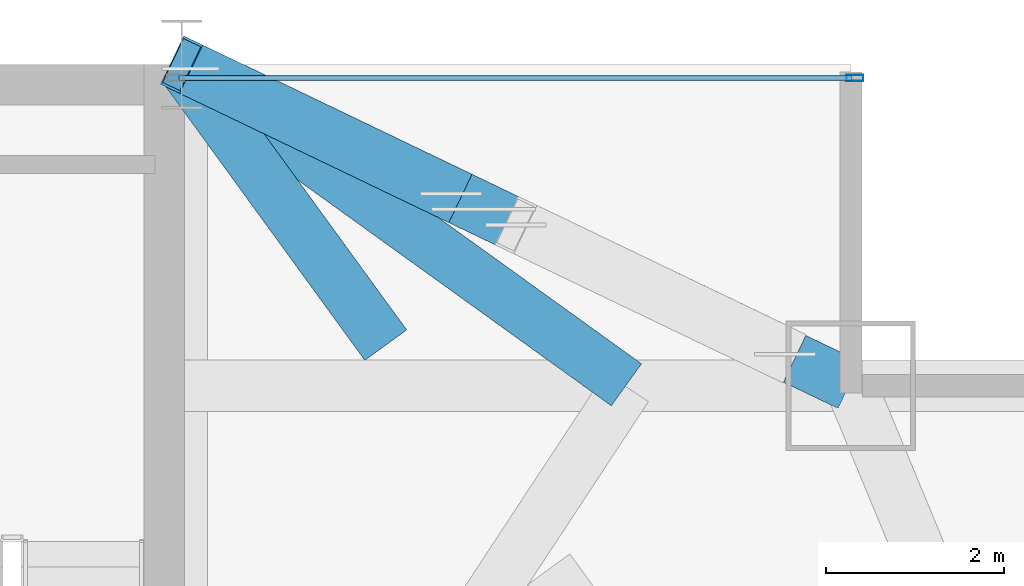
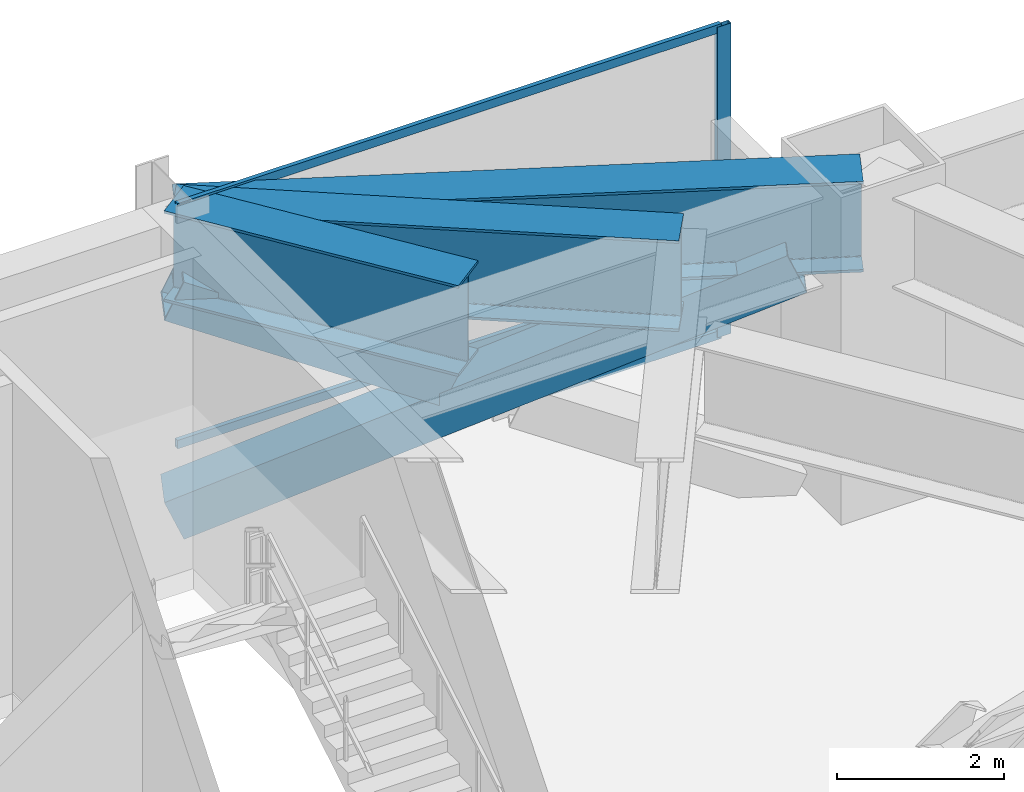
# One storey, part 25 of 32: 6 members, 3 beams, 1 element without a shape of its own.
"""IFC4 building model written with IfcOpenShell, lengths in metres."""

from ifc_helpers import new_model, si_unit, direction, frame, origin, origin_2d, place, context, subcontext, project, spatial, hollow_rectangle, i_section, extrude, source, transform, mapped, material, layer, layer_set, material_profile, profile_set, type_object, type_shapes, element, aggregate, save


model = new_model("IFC4")

# Units and contexts
model_context = context("Model", 3, precision=1e-05, world=origin(), true_north=direction((0.0, 1.0)))
body_context = subcontext(model_context, "Body", "Model", "MODEL_VIEW")
ifc_project = project(units=[si_unit("LENGTHUNIT", "METRE"), si_unit("AREAUNIT", "SQUARE_METRE"), si_unit("VOLUMEUNIT", "CUBIC_METRE"), si_unit("PLANEANGLEUNIT", "RADIAN"), si_unit("MASSUNIT", "GRAM", prefix="KILO")], contexts=[model_context])

# Site, building, storey
site_placement = place(None, origin())
site = spatial("IfcSite", under=ifc_project, at=site_placement, CompositionType="ELEMENT")
building_placement = place(site_placement, origin())
building = spatial("IfcBuilding", under=site, at=building_placement, Name="Varnel Quay Broadcast Tower", CompositionType="ELEMENT")
storey_placement = place(building_placement, frame((0.0, 0.0, 141.0)))
storey = spatial("IfcBuildingStorey", under=building, at=storey_placement, Name="L34", CompositionType="ELEMENT", Elevation=141.0)

# Beams
ifc_material_1 = material(Name="Structural Steel CSA G40.21 350WT", Category="steel")
ifc_material_profile_1 = material_profile(ifc_material_1, i_section(OverallWidth=0.580078125, OverallDepth=1.330078125, WebThickness=0.02197265625, FlangeThickness=0.0380859375, FilletRadius=0.02001953125, at=origin_2d()), Name="WWF1330X535")
ifc_profile_set_1 = profile_set([ifc_material_profile_1], Name="Structural Steel CSA G40.21 350WT")
beam_type = type_object("IfcBeamType", Name="Girder_WWF1330X535", PredefinedType="BEAM", material=ifc_profile_set_1)
shared_shape_1 = source(origin(), body_context, "Body", "SweptSolid", [
    extrude(i_section(OverallWidth=0.580078125, OverallDepth=1.330078125, WebThickness=0.02197265625, FlangeThickness=0.0380859375, FilletRadius=0.02001953125, at=origin_2d()), origin(), (0.0, 0.0, 1.0), 8.279296875),
])
beam_1_placement = place(storey_placement, frame((52.41796875, 46.791259765625, 3.885009765625), z_axis=(0.901535021024, -0.432706142626, 0.0), x_axis=(0.432706142626, 0.901535021024, 0.0)))
element("IfcBeam", 1, at=beam_1_placement, inside=storey, type_object=beam_type, Name="L34 NE Transfer Spine", PredefinedType="BEAM", context=body_context, shape_type="MappedRepresentation", body=[
    mapped(shared_shape_1, transform((0.0, 0.0, 0.0), x_axis=(1.0, 0.0, 0.0), y_axis=(0.0, 1.0, 0.0), z_axis=(0.0, 0.0, 1.0), scale=1.0)),
])
shared_shape_2 = source(origin(), body_context, "Body", "SweptSolid", [
    extrude(i_section(OverallWidth=0.580078125, OverallDepth=1.330078125, WebThickness=0.02197265625, FlangeThickness=0.0380859375, FilletRadius=0.02001953125, at=origin_2d()), origin(), (0.0, 0.0, 1.0), 6.12109375),
])
beam_2_placement = place(storey_placement, frame((52.416259765625, 46.788330078125, 3.885009765625), z_axis=(0.811531315425, -0.584308928637, 0.0), x_axis=(0.584308928637, 0.811531315425, 0.0)))
element("IfcBeam", 2, at=beam_2_placement, inside=storey, type_object=beam_type, Name="L34 Nodal Transfer Tie MC-NE-CC-N5", PredefinedType="BEAM", context=body_context, shape_type="MappedRepresentation", body=[
    mapped(shared_shape_2, transform((0.0, 0.0, 0.0), x_axis=(1.0, 0.0, 0.0), y_axis=(0.0, 1.0, 0.0), z_axis=(0.0, 0.0, 1.0), scale=1.0)),
])
shared_shape_3 = source(origin(), body_context, "Body", "SweptSolid", [
    extrude(i_section(OverallWidth=0.580078125, OverallDepth=1.330078125, WebThickness=0.02197265625, FlangeThickness=0.0380859375, FilletRadius=0.02001953125, at=origin_2d()), origin(), (0.0, 0.0, 1.0), 3.8671875),
])
type_shapes(beam_type, [shared_shape_1, shared_shape_2, shared_shape_3])
beam_3_placement = place(storey_placement, frame((52.411865234375, 46.78369140625, 3.885009765625), z_axis=(0.58838188732, -0.808583177338, 0.0), x_axis=(0.808583177338, 0.58838188732, 0.0)))
element("IfcBeam", 3, at=beam_3_placement, inside=storey, type_object=beam_type, Name="L34 X-Braced Transfer Tie TC-E3-CC-N5 Part 1", PredefinedType="BEAM", context=body_context, shape_type="MappedRepresentation", body=[
    mapped(shared_shape_3, transform((0.0, 0.0, 0.0), x_axis=(1.0, 0.0, 0.0), y_axis=(0.0, 1.0, 0.0), z_axis=(0.0, 0.0, 1.0), scale=1.0)),
])

# Members
ifc_material_profile_2 = material_profile(ifc_material_1, hollow_rectangle(XDim=0.60009765625, YDim=0.60009765625, WallThickness=0.028076171875, at=origin_2d()), Name="BOX600X600X28")
ifc_profile_set_2 = profile_set([ifc_material_profile_2], Name="Structural Steel CSA G40.21 350WT")
member_type_1 = type_object("IfcMemberType", Name="Outrigger_BOX600X600X28", PredefinedType="BRACE", material=ifc_profile_set_2)
shared_shape_4 = source(origin(), body_context, "Body", "SweptSolid", [
    extrude(hollow_rectangle(XDim=0.60009765625, YDim=0.60009765625, WallThickness=0.028076171875, at=origin_2d()), origin(), (0.0, 0.0, 1.0), 8.162353515625),
])
member_1_placement = place(storey_placement, frame((52.39990234375, 46.800048828125, 0.02001953125), z_axis=(0.828409343306, -0.397634091923, 0.394493458581), x_axis=(0.432728951153, 0.901524073352, 0.0)))
element("IfcMember", 4, at=member_1_placement, inside=storey, type_object=member_type_1, Name="L34 Outrigger NE Continuous Diag A", PredefinedType="BRACE", context=body_context, shape_type="MappedRepresentation", body=[
    mapped(shared_shape_4, transform((0.0, 0.0, 0.0), x_axis=(1.0, 0.0, 0.0), y_axis=(0.0, 1.0, 0.0), z_axis=(0.0, 0.0, 1.0), scale=1.0)),
])
shared_shape_5 = source(origin(), body_context, "Body", "SweptSolid", [
    extrude(hollow_rectangle(XDim=0.60009765625, YDim=0.60009765625, WallThickness=0.028076171875, at=origin_2d()), origin(), (0.0, 0.0, 1.0), 3.642333984375),
])
type_shapes(member_type_1, [shared_shape_4, shared_shape_5])
member_2_placement = place(storey_placement, frame((55.417236328125, 45.351806640625, 1.802978515625), z_axis=(-0.828403119458, 0.397612048275, 0.394528745136), x_axis=(-0.432712095994, -0.901532163586, 0.0)))
element("IfcMember", 5, at=member_2_placement, inside=storey, type_object=member_type_1, Name="L34 Outrigger NE Split Diag B2", PredefinedType="BRACE", context=body_context, shape_type="MappedRepresentation", body=[
    mapped(shared_shape_5, transform((0.0, 0.0, 0.0), x_axis=(1.0, 0.0, 0.0), y_axis=(0.0, 1.0, 0.0), z_axis=(0.0, 0.0, 1.0), scale=1.0)),
])

# Curtain wall, members
ifc_material_2 = material(Name="Anodised Bronze Aluminium 6063-T6", Category="aluminium")
ifc_layer = layer(ifc_material_2, 0.18994140625, Name="Anodised Bronze Aluminium 6063-T6")
ifc_layer_set = layer_set([ifc_layer], Name="Anodised Bronze Aluminium 6063-T6")
curtain_wall_type = type_object("IfcCurtainWallType", Name="CW_CrownScreen", PredefinedType="NOTDEFINED", material=ifc_layer_set)
curtain_wall_placement = place(storey_placement, origin())
curtain_wall = element("IfcCurtainWall", 6, at=curtain_wall_placement, inside=storey, type_object=curtain_wall_type, Name="L34 NE Wing Curtain Wall", PredefinedType="NOTDEFINED")
ifc_material_profile_3 = material_profile(ifc_material_2, hollow_rectangle(XDim=0.070068359375, YDim=0.18994140625, WallThickness=0.00390625, at=origin_2d()), Name="ALU70X190X4")
ifc_profile_set_3 = profile_set([ifc_material_profile_3], Name="Anodised Bronze Aluminium 6063-T6")
member_type_2 = type_object("IfcMemberType", Name="Mull_CWS-06", PredefinedType="MULLION", material=ifc_profile_set_3)
shared_shape_6 = source(origin(), body_context, "Body", "SweptSolid", [
    extrude(hollow_rectangle(XDim=0.070068359375, YDim=0.18994140625, WallThickness=0.00390625, at=origin_2d()), origin(), (0.0, 0.0, 1.0), 4.550048828125),
])
type_shapes(member_type_2, [shared_shape_6])
member_3_placement = place(storey_placement, frame((59.945068359375, 46.64990234375, 0.0), z_axis=(0.0, 0.0, 1.0), x_axis=(0.0, 1.0, 0.0)))
member_3 = element("IfcMember", 7, at=member_3_placement, type_object=member_type_2, Name="CWS-06 mullion 2", PredefinedType="MULLION", context=body_context, shape_type="MappedRepresentation", body=[
    mapped(shared_shape_6, transform((0.0, 0.0, 0.0), x_axis=(1.0, 0.0, 0.0), y_axis=(0.0, 1.0, 0.0), z_axis=(0.0, 0.0, 1.0), scale=1.0)),
])
ifc_material_profile_4 = material_profile(ifc_material_2, hollow_rectangle(XDim=0.06005859375, YDim=0.125, WallThickness=0.0029296875, at=origin_2d()), Name="ALU60X125X3")
ifc_profile_set_4 = profile_set([ifc_material_profile_4], Name="Anodised Bronze Aluminium 6063-T6")
member_type_3 = type_object("IfcMemberType", Name="Tran_CWS-06", PredefinedType="USERDEFINED", material=ifc_profile_set_4)
shared_shape_7 = source(origin(), body_context, "Body", "SweptSolid", [
    extrude(hollow_rectangle(XDim=0.06005859375, YDim=0.125, WallThickness=0.0029296875, at=origin_2d()), origin(), (0.0, 0.0, 1.0), 7.539794921875),
])
type_shapes(member_type_3, [shared_shape_7])
member_4_placement = place(storey_placement, frame((52.3701171875, 46.64990234375, 0.030029296875), z_axis=(1.0, 0.0, 0.0), x_axis=(0.0, 1.0, 0.0)))
member_4 = element("IfcMember", 8, at=member_4_placement, type_object=member_type_3, Name="CWS-06 transom 1.1", ObjectType="TRANSOM", PredefinedType="USERDEFINED", context=body_context, shape_type="MappedRepresentation", body=[
    mapped(shared_shape_7, transform((0.0, 0.0, 0.0), x_axis=(1.0, 0.0, 0.0), y_axis=(0.0, 1.0, 0.0), z_axis=(0.0, 0.0, 1.0), scale=1.0)),
])
member_5_placement = place(storey_placement, frame((52.3701171875, 46.64990234375, 1.050048828125), z_axis=(1.0, 0.0, 0.0), x_axis=(0.0, 1.0, 0.0)))
member_5 = element("IfcMember", 9, at=member_5_placement, type_object=member_type_3, Name="CWS-06 transom 1.2", ObjectType="TRANSOM", PredefinedType="USERDEFINED", context=body_context, shape_type="MappedRepresentation", body=[
    mapped(shared_shape_7, transform((0.0, 0.0, 0.0), x_axis=(1.0, 0.0, 0.0), y_axis=(0.0, 1.0, 0.0), z_axis=(0.0, 0.0, 1.0), scale=1.0)),
])
member_6_placement = place(storey_placement, frame((52.3701171875, 46.64990234375, 4.52001953125), z_axis=(1.0, 0.0, 0.0), x_axis=(0.0, 1.0, 0.0)))
member_6 = element("IfcMember", 10, at=member_6_placement, type_object=member_type_3, Name="CWS-06 transom 1.3", ObjectType="TRANSOM", PredefinedType="USERDEFINED", context=body_context, shape_type="MappedRepresentation", body=[
    mapped(shared_shape_7, transform((0.0, 0.0, 0.0), x_axis=(1.0, 0.0, 0.0), y_axis=(0.0, 1.0, 0.0), z_axis=(0.0, 0.0, 1.0), scale=1.0)),
])
aggregate(curtain_wall, [member_3, member_4, member_5, member_6])

save(model, "model.ifc")
